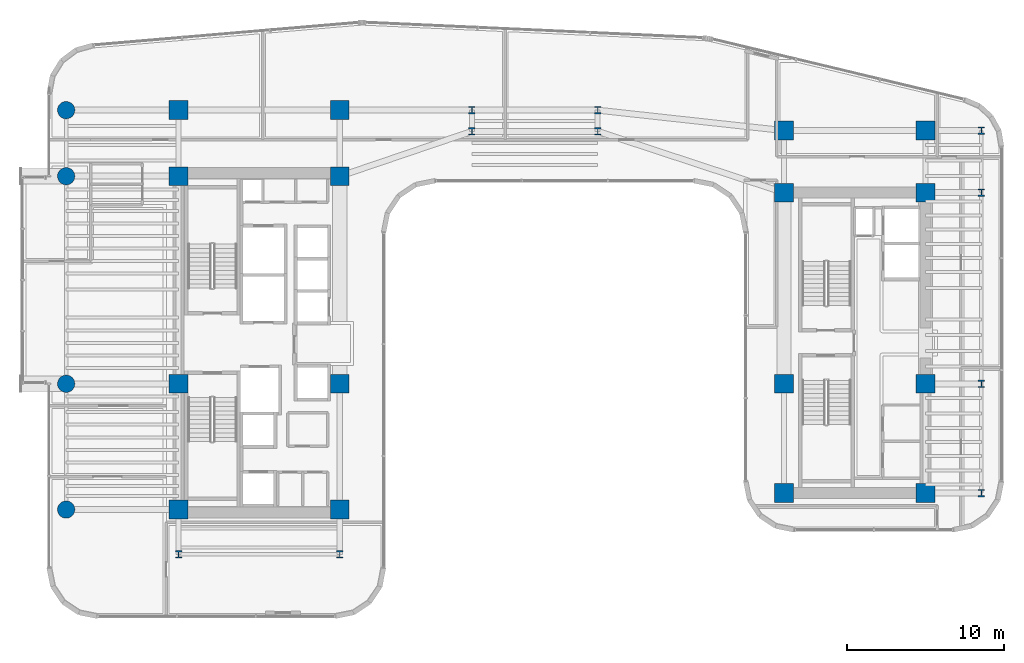
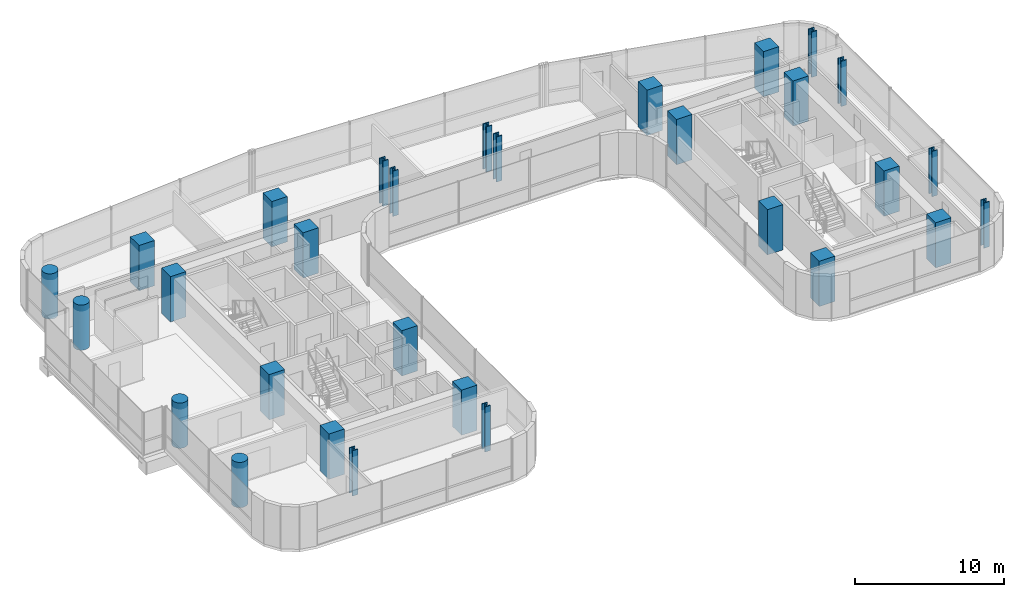
# One storey, part 1 of 34: 30 columns.
"""IFC4 building model written with IfcOpenShell, lengths in metres."""

from ifc_helpers import new_model, si_unit, direction, frame, origin, origin_2d, place, context, subcontext, project, spatial, rectangle, circle, i_section, extrude, source, transform, mapped, material, material_profile, profile_set, type_object, element, save


model = new_model("IFC4")

# Units and contexts
model_context = context("Model", 3, precision=1e-05, world=origin(), true_north=direction((0.0, 1.0)))
body_context = subcontext(model_context, "Body", "Model", "MODEL_VIEW")
ifc_project = project(units=[si_unit("LENGTHUNIT", "METRE"), si_unit("AREAUNIT", "SQUARE_METRE"), si_unit("VOLUMEUNIT", "CUBIC_METRE"), si_unit("PLANEANGLEUNIT", "RADIAN"), si_unit("MASSUNIT", "GRAM", prefix="KILO")], contexts=[model_context])

# Site, building, storey
site_placement = place(None, origin())
site = spatial("IfcSite", under=ifc_project, at=site_placement, CompositionType="ELEMENT")
building_placement = place(site_placement, origin())
building = spatial("IfcBuilding", under=site, at=building_placement, Name="Valdorenza Pilgrim Sanctuary Tower", CompositionType="ELEMENT")
storey_placement = place(building_placement, frame((0.0, 0.0, 146.39990234375)))
storey = spatial("IfcBuildingStorey", under=building, at=storey_placement, Name="L37", CompositionType="ELEMENT", Elevation=146.39990234375)

# Columns
ifc_material_1 = material(Name="Concrete C50/60", Category="concrete")
ifc_material_profile_1 = material_profile(ifc_material_1, circle(Radius=0.550048828125, at=origin_2d()), Name="RC D1100")
ifc_profile_set_1 = profile_set([ifc_material_profile_1], Name="Concrete C50/60")
column_type_1 = type_object("IfcColumnType", Name="COL-RND-1100", PredefinedType="COLUMN", material=ifc_profile_set_1)
shared_shape_1 = source(origin(), body_context, "Body", "SweptSolid", [
    extrude(circle(Radius=0.550048828125, at=origin_2d()), origin(), (0.0, 0.0, 1.0), 3.7001953125),
])
for number, where, z_axis, x_axis, name in (
    (1, (-29.800048828125, -10.60009765625, 0.0), (0.0, 0.0, 1.0), (1.0, 0.0, 0.0), "L37 Perimeter Column WA-W-S1"),
    (2, (-29.800048828125, -2.60009765625, 0.0), (0.0, 0.0, 1.0), (1.0, 0.0, 0.0), "L37 Perimeter Column WA-W-M0"),
    (3, (-29.800048828125, 10.60009765625, 0.0), (0.0, 0.0, 1.0), (1.0, 0.0, 0.0), "L37 Perimeter Column WA-W-N1"),
    (4, (-29.800048828125, 14.800048828125, 0.0), (0.0, 0.0, 1.0), (1.0, 0.0, 0.0), "L37 Perimeter Column WA-W-N2"),
):
    element("IfcColumn", number, at=place(storey_placement, frame(where, z_axis=z_axis, x_axis=x_axis)), inside=storey, type_object=column_type_1, Name=name, PredefinedType="COLUMN", context=body_context, shape_type="MappedRepresentation", body=[
        mapped(shared_shape_1, transform((0.0, 0.0, 0.0), x_axis=(1.0, 0.0, 0.0), y_axis=(0.0, 1.0, 0.0), z_axis=(0.0, 0.0, 1.0), scale=1.0)),
    ])
ifc_material_2 = material(Name="Concrete C60/75", Category="concrete")
ifc_material_profile_2 = material_profile(ifc_material_2, rectangle(XDim=1.199951171875, YDim=1.199951171875, at=origin_2d()), Name="RC 1200x1200")
ifc_profile_set_2 = profile_set([ifc_material_profile_2], Name="Concrete C60/75")
column_type_2 = type_object("IfcColumnType", Name="COL-Z2-1200", PredefinedType="COLUMN", material=ifc_profile_set_2)
shared_shape_2 = source(origin(), body_context, "Body", "SweptSolid", [
    extrude(rectangle(XDim=1.199951171875, YDim=1.199951171875, at=origin_2d()), origin(), (0.0, 0.0, 1.0), 3.7001953125),
])
for number, where, z_axis, x_axis, name in (
    (5, (-22.64990234375, -10.60009765625, 0.0), (0.0, 0.0, 1.0), (1.0, 0.0, 0.0), "L37 Column CA-W-S1"),
    (6, (-12.39990234375, -10.60009765625, 0.0), (0.0, 0.0, 1.0), (1.0, 0.0, 0.0), "L37 Column CA-E-S1"),
    (7, (-22.64990234375, -2.60009765625, 0.0), (0.0, 0.0, 1.0), (1.0, 0.0, 0.0), "L37 Column CA-W-M0"),
    (8, (-12.39990234375, -2.60009765625, 0.0), (0.0, 0.0, 1.0), (1.0, 0.0, 0.0), "L37 Column CA-E-M0"),
    (9, (-22.64990234375, 10.60009765625, 0.0), (0.0, 0.0, 1.0), (1.0, 0.0, 0.0), "L37 Column CA-W-N1"),
    (10, (-12.39990234375, 10.60009765625, 0.0), (0.0, 0.0, 1.0), (1.0, 0.0, 0.0), "L37 Column CA-E-N1"),
    (11, (-22.64990234375, 14.800048828125, 0.0), (0.0, 0.0, 1.0), (1.0, 0.0, 0.0), "L37 Column CA-W-N2"),
    (12, (-12.39990234375, 14.800048828125, 0.0), (0.0, 0.0, 1.0), (1.0, 0.0, 0.0), "L37 Column CA-E-N2"),
    (13, (15.85009765625, -9.550048828125, 0.0), (0.0, 0.0, 1.0), (1.0, 0.0, 0.0), "L37 Column CB-W-S1"),
    (14, (24.85009765625, -9.550048828125, 0.0), (0.0, 0.0, 1.0), (1.0, 0.0, 0.0), "L37 Column CB-E-S1"),
    (15, (15.85009765625, -2.60009765625, 0.0), (0.0, 0.0, 1.0), (1.0, 0.0, 0.0), "L37 Column CB-W-M0"),
    (16, (24.85009765625, -2.60009765625, 0.0), (0.0, 0.0, 1.0), (1.0, 0.0, 0.0), "L37 Column CB-E-M0"),
    (17, (15.85009765625, 9.550048828125, 0.0), (0.0, 0.0, 1.0), (1.0, 0.0, 0.0), "L37 Column CB-W-N1"),
    (18, (24.85009765625, 9.550048828125, 0.0), (0.0, 0.0, 1.0), (1.0, 0.0, 0.0), "L37 Column CB-E-N1"),
    (19, (15.85009765625, 13.5, 0.0), (0.0, 0.0, 1.0), (1.0, 0.0, 0.0), "L37 Column CB-W-N2"),
    (20, (24.85009765625, 13.5, 0.0), (0.0, 0.0, 1.0), (1.0, 0.0, 0.0), "L37 Column CB-E-N2"),
):
    element("IfcColumn", number, at=place(storey_placement, frame(where, z_axis=z_axis, x_axis=x_axis)), inside=storey, type_object=column_type_2, Name=name, PredefinedType="COLUMN", context=body_context, shape_type="MappedRepresentation", body=[
        mapped(shared_shape_2, transform((0.0, 0.0, 0.0), x_axis=(1.0, 0.0, 0.0), y_axis=(0.0, 1.0, 0.0), z_axis=(0.0, 0.0, 1.0), scale=1.0)),
    ])
ifc_material_3 = material(Name="Steel ASTM A992 Grade 50", Category="steel")
ifc_material_profile_3 = material_profile(ifc_material_3, i_section(OverallWidth=0.424072265625, OverallDepth=0.47412109375, WebThickness=0.047607421875, FlangeThickness=0.0771484375, at=origin_2d()), Name="W14X426")
ifc_profile_set_3 = profile_set([ifc_material_profile_3], Name="Steel ASTM A992 Grade 50")
column_type_3 = type_object("IfcColumnType", Name="COL-STL-W426", PredefinedType="COLUMN", material=ifc_profile_set_3)
shared_shape_3 = source(origin(), body_context, "Body", "SweptSolid", [
    extrude(i_section(OverallWidth=0.424072265625, OverallDepth=0.47412109375, WebThickness=0.047607421875, FlangeThickness=0.0771484375, at=origin_2d()), origin(), (0.0, 0.0, 1.0), 3.7001953125),
])
for number, where, z_axis, x_axis, name in (
    (21, (-22.64990234375, -13.449951171875, 0.0), (0.0, 0.0, 1.0), (1.0, 0.0, 0.0), "L37 Column WA-S-W"),
    (22, (-12.39990234375, -13.449951171875, 0.0), (0.0, 0.0, 1.0), (1.0, 0.0, 0.0), "L37 Column WA-S-E"),
    (23, (28.39990234375, -9.550048828125, 0.0), (0.0, 0.0, 1.0), (1.0, 0.0, 0.0), "L37 Perimeter Column WB-E-S1"),
    (24, (28.39990234375, -2.60009765625, 0.0), (0.0, 0.0, 1.0), (1.0, 0.0, 0.0), "L37 Perimeter Column WB-E-M0"),
    (25, (28.39990234375, 9.550048828125, 0.0), (0.0, 0.0, 1.0), (1.0, 0.0, 0.0), "L37 Perimeter Column WB-E-N1"),
    (26, (28.39990234375, 13.5, 0.0), (0.0, 0.0, 1.0), (1.0, 0.0, 0.0), "L37 Perimeter Column WB-E-N2"),
    (27, (-4.0, 13.449951171875, 0.0), (0.0, 0.0, 1.0), (1.0, 0.0, 0.0), "L37 Column KNK-W1"),
    (28, (-4.0, 14.800048828125, 0.0), (0.0, 0.0, 1.0), (1.0, 0.0, 0.0), "L37 Column KNK-W2"),
    (29, (4.0, 13.449951171875, 0.0), (0.0, 0.0, 1.0), (1.0, 0.0, 0.0), "L37 Column KNK-E1"),
    (30, (4.0, 14.800048828125, 0.0), (0.0, 0.0, 1.0), (1.0, 0.0, 0.0), "L37 Column KNK-E2"),
):
    element("IfcColumn", number, at=place(storey_placement, frame(where, z_axis=z_axis, x_axis=x_axis)), inside=storey, type_object=column_type_3, Name=name, PredefinedType="COLUMN", context=body_context, shape_type="MappedRepresentation", body=[
        mapped(shared_shape_3, transform((0.0, 0.0, 0.0), x_axis=(1.0, 0.0, 0.0), y_axis=(0.0, 1.0, 0.0), z_axis=(0.0, 0.0, 1.0), scale=1.0)),
    ])

save(model, "model.ifc")
